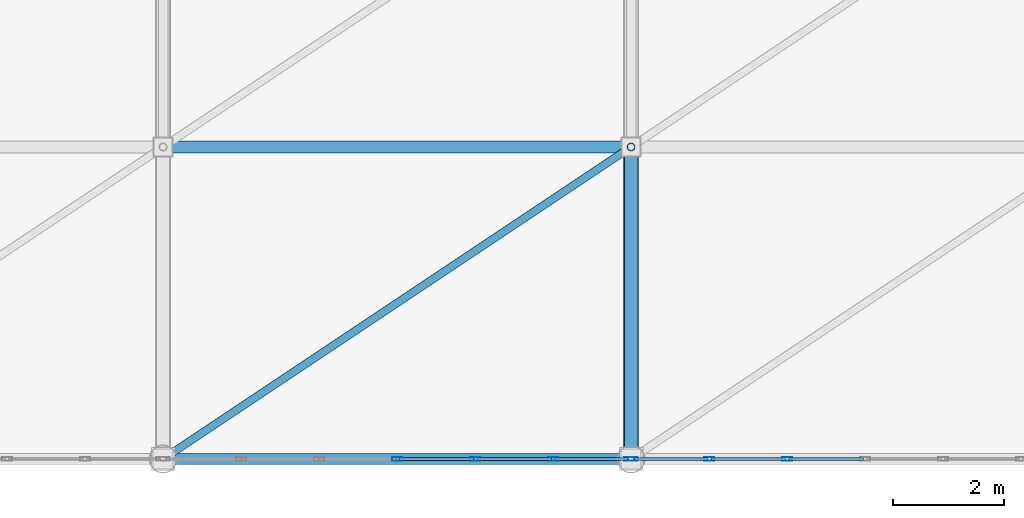
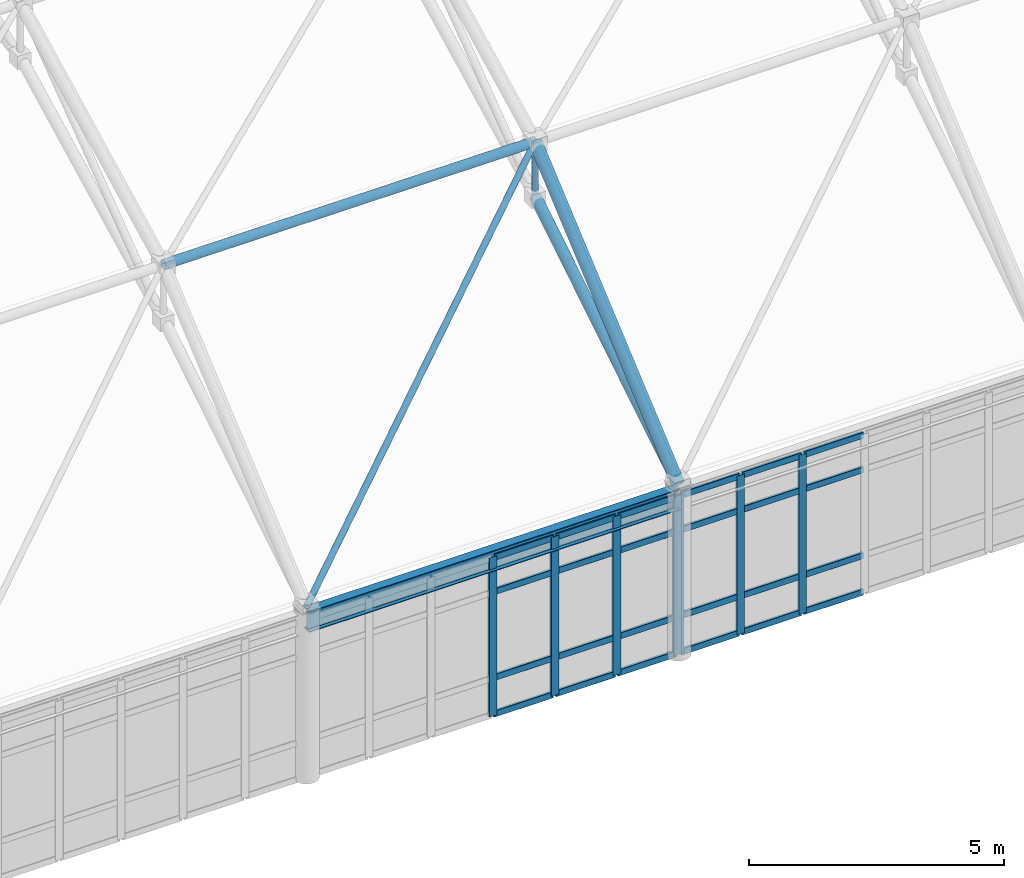
# One storey, part 70 of 184: 36 members, 1 beam, 2 elements without a shape of their own.
"""IFC4 building model written with IfcOpenShell, lengths in metres."""

from ifc_helpers import new_model, si_unit, direction, frame, origin, origin_2d, place, context, subcontext, project, spatial, hollow_rectangle, hollow_circle, i_section, extrude, material, layer, layer_set, material_profile, profile_set, type_object, element, aggregate, save


model = new_model("IFC4")

# Units and contexts
model_context = context("Model", 3, precision=1e-05, world=origin(), true_north=direction((0.0, 1.0)))
body_context = subcontext(model_context, "Body", "Model", "MODEL_VIEW")
ifc_project = project(units=[si_unit("LENGTHUNIT", "METRE"), si_unit("AREAUNIT", "SQUARE_METRE"), si_unit("VOLUMEUNIT", "CUBIC_METRE"), si_unit("PLANEANGLEUNIT", "RADIAN"), si_unit("MASSUNIT", "GRAM", prefix="KILO")], contexts=[model_context])

# Site, building, storey
site_placement = place(None, origin())
site = spatial("IfcSite", under=ifc_project, at=site_placement, CompositionType="ELEMENT")
building_placement = place(site_placement, origin())
building = spatial("IfcBuilding", under=site, at=building_placement, Name="Qalvenar Corner Mobility Hub", CompositionType="ELEMENT")
storey_placement = place(building_placement, frame((0.0, 0.0, 9.0)))
storey = spatial("IfcBuildingStorey", under=building, at=storey_placement, Name="L02", CompositionType="ELEMENT", Elevation=9.0)

# Beam
ifc_material_1 = material(Name="Steel S355", Category="steel")
ifc_material_profile_1 = material_profile(ifc_material_1, i_section(OverallWidth=0.199951171875, OverallDepth=0.5, WebThickness=0.01025390625, FlangeThickness=0.01611328125, FilletRadius=0.02099609375, at=origin_2d()), Name="IPE500")
ifc_profile_set_1 = profile_set([ifc_material_profile_1], Name="Steel S355")
beam_type = type_object("IfcBeamType", Name="BM-IPE500", PredefinedType="BEAM", material=ifc_profile_set_1)
beam_placement = place(storey_placement, frame((75.60009765625, 0.0, 3.75), z_axis=(1.0, 0.0, 0.0), x_axis=(0.0, 1.0, 0.0)))
element("IfcBeam", 1, at=beam_placement, inside=storey, type_object=beam_type, Name="Space Frame Ring Beam SFRB-4-0", PredefinedType="BEAM", context=body_context, shape_type="SweptSolid", body=[
    extrude(i_section(OverallWidth=0.199951171875, OverallDepth=0.5, WebThickness=0.01025390625, FlangeThickness=0.01611328125, FilletRadius=0.02099609375, at=origin_2d()), origin(), (0.0, 0.0, 1.0), 8.39990234375),
])

# Curtain wall, members
ifc_material_2 = material(Name="Anodised Aluminium and Low-E Glazing", Category="aluminium")
ifc_layer = layer(ifc_material_2, 0.179931640625)
ifc_layer_set = layer_set([ifc_layer], Name="Anodised Aluminium and Low-E Glazing")
curtain_wall_type = type_object("IfcCurtainWallType", Name="CW-CONC-84X42", PredefinedType="NOTDEFINED", material=ifc_layer_set)
curtain_wall_1_placement = place(storey_placement, origin())
curtain_wall_1 = element("IfcCurtainWall", 2, at=curtain_wall_1_placement, inside=storey, type_object=curtain_wall_type, Name="Glazed Curtain Wall CW-V1-L02-S3", PredefinedType="NOTDEFINED")
ifc_material_3 = material(Name="Anodised Aluminium 6063-T6", Category="aluminium")
ifc_material_profile_2 = material_profile(ifc_material_3, hollow_rectangle(XDim=0.06494140625, YDim=0.179931640625, WallThickness=0.00390625, InnerFilletRadius=0.00390625, OuterFilletRadius=0.008056640625, at=origin_2d()), Name="RHS180x65x4")
ifc_profile_set_2 = profile_set([ifc_material_profile_2], Name="Anodised Aluminium 6063-T6")
member_type_1 = type_object("IfcMemberType", Name="CW-MUL180", PredefinedType="MULLION", material=ifc_profile_set_2)
member_1_placement = place(storey_placement, frame((79.800048828125, 0.0, 0.0), z_axis=(0.0, 0.0, 1.0), x_axis=(0.0, 1.0, 0.0)))
member_1 = element("IfcMember", 3, at=member_1_placement, type_object=member_type_1, Name="CW-02 mullion 4", PredefinedType="MULLION", context=body_context, shape_type="SweptSolid", body=[
    extrude(hollow_rectangle(XDim=0.06494140625, YDim=0.179931640625, WallThickness=0.00390625, InnerFilletRadius=0.00390625, OuterFilletRadius=0.008056640625, at=origin_2d()), origin(), (0.0, 0.0, 1.0), 3.800048828125),
])
member_2_placement = place(storey_placement, frame((81.199951171875, 0.0, 0.0), z_axis=(0.0, 0.0, 1.0), x_axis=(0.0, 1.0, 0.0)))
member_2 = element("IfcMember", 4, at=member_2_placement, type_object=member_type_1, Name="CW-02 mullion 5", PredefinedType="MULLION", context=body_context, shape_type="SweptSolid", body=[
    extrude(hollow_rectangle(XDim=0.06494140625, YDim=0.179931640625, WallThickness=0.00390625, InnerFilletRadius=0.00390625, OuterFilletRadius=0.008056640625, at=origin_2d()), origin(), (0.0, 0.0, 1.0), 3.800048828125),
])
member_3_placement = place(storey_placement, frame((82.60009765625, 0.0, 0.0), z_axis=(0.0, 0.0, 1.0), x_axis=(0.0, 1.0, 0.0)))
member_3 = element("IfcMember", 5, at=member_3_placement, type_object=member_type_1, Name="CW-02 mullion 6", PredefinedType="MULLION", context=body_context, shape_type="SweptSolid", body=[
    extrude(hollow_rectangle(XDim=0.06494140625, YDim=0.179931640625, WallThickness=0.00390625, InnerFilletRadius=0.00390625, OuterFilletRadius=0.008056640625, at=origin_2d()), origin(), (0.0, 0.0, 1.0), 3.800048828125),
])
member_4_placement = place(storey_placement, frame((83.969970703125, 0.0, 0.0), z_axis=(0.0, 0.0, 1.0), x_axis=(0.0, 1.0, 0.0)))
member_4 = element("IfcMember", 6, at=member_4_placement, type_object=member_type_1, Name="CW-02 mullion 7", PredefinedType="MULLION", context=body_context, shape_type="SweptSolid", body=[
    extrude(hollow_rectangle(XDim=0.06494140625, YDim=0.179931640625, WallThickness=0.00390625, InnerFilletRadius=0.00390625, OuterFilletRadius=0.008056640625, at=origin_2d()), origin(), (0.0, 0.0, 1.0), 3.800048828125),
])

curtain_wall_2_placement = place(storey_placement, origin())
curtain_wall_2 = element("IfcCurtainWall", 7, at=curtain_wall_2_placement, inside=storey, type_object=curtain_wall_type, Name="Glazed Curtain Wall CW-V1-L02-S4", PredefinedType="NOTDEFINED")
member_5_placement = place(storey_placement, frame((84.030029296875, 0.0, 0.0), z_axis=(0.0, 0.0, 1.0), x_axis=(0.0, 1.0, 0.0)))
member_5 = element("IfcMember", 8, at=member_5_placement, type_object=member_type_1, Name="CW-02 mullion 1", PredefinedType="MULLION", context=body_context, shape_type="SweptSolid", body=[
    extrude(hollow_rectangle(XDim=0.06494140625, YDim=0.179931640625, WallThickness=0.00390625, InnerFilletRadius=0.00390625, OuterFilletRadius=0.008056640625, at=origin_2d()), origin(), (0.0, 0.0, 1.0), 3.800048828125),
])
member_6_placement = place(storey_placement, frame((85.39990234375, 0.0, 0.0), z_axis=(0.0, 0.0, 1.0), x_axis=(0.0, 1.0, 0.0)))
member_6 = element("IfcMember", 9, at=member_6_placement, type_object=member_type_1, Name="CW-02 mullion 2", PredefinedType="MULLION", context=body_context, shape_type="SweptSolid", body=[
    extrude(hollow_rectangle(XDim=0.06494140625, YDim=0.179931640625, WallThickness=0.00390625, InnerFilletRadius=0.00390625, OuterFilletRadius=0.008056640625, at=origin_2d()), origin(), (0.0, 0.0, 1.0), 3.800048828125),
])
member_7_placement = place(storey_placement, frame((86.800048828125, 0.0, 0.0), z_axis=(0.0, 0.0, 1.0), x_axis=(0.0, 1.0, 0.0)))
member_7 = element("IfcMember", 10, at=member_7_placement, type_object=member_type_1, Name="CW-02 mullion 3", PredefinedType="MULLION", context=body_context, shape_type="SweptSolid", body=[
    extrude(hollow_rectangle(XDim=0.06494140625, YDim=0.179931640625, WallThickness=0.00390625, InnerFilletRadius=0.00390625, OuterFilletRadius=0.008056640625, at=origin_2d()), origin(), (0.0, 0.0, 1.0), 3.800048828125),
])

# Member
ifc_material_profile_3 = material_profile(ifc_material_3, hollow_rectangle(XDim=0.06005859375, YDim=0.14990234375, WallThickness=0.00341796875, InnerFilletRadius=0.00341796875, OuterFilletRadius=0.007080078125, at=origin_2d()), Name="RHS150x60x3.5")
ifc_profile_set_3 = profile_set([ifc_material_profile_3], Name="Anodised Aluminium 6063-T6")
member_type_2 = type_object("IfcMemberType", Name="CW-TRN150", PredefinedType="USERDEFINED", material=ifc_profile_set_3)
member_8_placement = place(storey_placement, frame((79.830078125, 0.0, 0.027587890625), z_axis=(1.0, 0.0, 0.0), x_axis=(0.0, 1.0, 0.0)))
member_8 = element("IfcMember", 11, at=member_8_placement, type_object=member_type_2, Name="CW-02 transom 4.1", ObjectType="TRANSOM", PredefinedType="USERDEFINED", context=body_context, shape_type="SweptSolid", body=[
    extrude(hollow_rectangle(XDim=0.06005859375, YDim=0.14990234375, WallThickness=0.00341796875, InnerFilletRadius=0.00341796875, OuterFilletRadius=0.007080078125, at=origin_2d()), origin(), (0.0, 0.0, 1.0), 1.33984375),
])

member_9_placement = place(storey_placement, frame((79.830078125, 0.0, 0.89990234375), z_axis=(1.0, 0.0, 0.0), x_axis=(0.0, 1.0, 0.0)))
member_9 = element("IfcMember", 12, at=member_9_placement, type_object=member_type_2, Name="CW-02 transom 4.2", ObjectType="TRANSOM", PredefinedType="USERDEFINED", context=body_context, shape_type="SweptSolid", body=[
    extrude(hollow_rectangle(XDim=0.06005859375, YDim=0.14990234375, WallThickness=0.00341796875, InnerFilletRadius=0.00341796875, OuterFilletRadius=0.007080078125, at=origin_2d()), origin(), (0.0, 0.0, 1.0), 1.33984375),
])

member_10_placement = place(storey_placement, frame((79.830078125, 0.0, 2.949951171875), z_axis=(1.0, 0.0, 0.0), x_axis=(0.0, 1.0, 0.0)))
member_10 = element("IfcMember", 13, at=member_10_placement, type_object=member_type_2, Name="CW-02 transom 4.3", ObjectType="TRANSOM", PredefinedType="USERDEFINED", context=body_context, shape_type="SweptSolid", body=[
    extrude(hollow_rectangle(XDim=0.06005859375, YDim=0.14990234375, WallThickness=0.00341796875, InnerFilletRadius=0.00341796875, OuterFilletRadius=0.007080078125, at=origin_2d()), origin(), (0.0, 0.0, 1.0), 1.33984375),
])

member_11_placement = place(storey_placement, frame((79.830078125, 0.0, 3.7724609375), z_axis=(1.0, 0.0, 0.0), x_axis=(0.0, 1.0, 0.0)))
member_11 = element("IfcMember", 14, at=member_11_placement, type_object=member_type_2, Name="CW-02 transom 4.4", ObjectType="TRANSOM", PredefinedType="USERDEFINED", context=body_context, shape_type="SweptSolid", body=[
    extrude(hollow_rectangle(XDim=0.06005859375, YDim=0.14990234375, WallThickness=0.00341796875, InnerFilletRadius=0.00341796875, OuterFilletRadius=0.007080078125, at=origin_2d()), origin(), (0.0, 0.0, 1.0), 1.33984375),
])

member_12_placement = place(storey_placement, frame((81.22998046875, 0.0, 0.027587890625), z_axis=(1.0, 0.0, 0.0), x_axis=(0.0, 1.0, 0.0)))
member_12 = element("IfcMember", 15, at=member_12_placement, type_object=member_type_2, Name="CW-02 transom 5.1", ObjectType="TRANSOM", PredefinedType="USERDEFINED", context=body_context, shape_type="SweptSolid", body=[
    extrude(hollow_rectangle(XDim=0.06005859375, YDim=0.14990234375, WallThickness=0.00341796875, InnerFilletRadius=0.00341796875, OuterFilletRadius=0.007080078125, at=origin_2d()), origin(), (0.0, 0.0, 1.0), 1.340087890625),
])

member_13_placement = place(storey_placement, frame((81.22998046875, 0.0, 0.89990234375), z_axis=(1.0, 0.0, 0.0), x_axis=(0.0, 1.0, 0.0)))
member_13 = element("IfcMember", 16, at=member_13_placement, type_object=member_type_2, Name="CW-02 transom 5.2", ObjectType="TRANSOM", PredefinedType="USERDEFINED", context=body_context, shape_type="SweptSolid", body=[
    extrude(hollow_rectangle(XDim=0.06005859375, YDim=0.14990234375, WallThickness=0.00341796875, InnerFilletRadius=0.00341796875, OuterFilletRadius=0.007080078125, at=origin_2d()), origin(), (0.0, 0.0, 1.0), 1.340087890625),
])

member_14_placement = place(storey_placement, frame((81.22998046875, 0.0, 2.949951171875), z_axis=(1.0, 0.0, 0.0), x_axis=(0.0, 1.0, 0.0)))
member_14 = element("IfcMember", 17, at=member_14_placement, type_object=member_type_2, Name="CW-02 transom 5.3", ObjectType="TRANSOM", PredefinedType="USERDEFINED", context=body_context, shape_type="SweptSolid", body=[
    extrude(hollow_rectangle(XDim=0.06005859375, YDim=0.14990234375, WallThickness=0.00341796875, InnerFilletRadius=0.00341796875, OuterFilletRadius=0.007080078125, at=origin_2d()), origin(), (0.0, 0.0, 1.0), 1.340087890625),
])

member_15_placement = place(storey_placement, frame((81.22998046875, 0.0, 3.7724609375), z_axis=(1.0, 0.0, 0.0), x_axis=(0.0, 1.0, 0.0)))
member_15 = element("IfcMember", 18, at=member_15_placement, type_object=member_type_2, Name="CW-02 transom 5.4", ObjectType="TRANSOM", PredefinedType="USERDEFINED", context=body_context, shape_type="SweptSolid", body=[
    extrude(hollow_rectangle(XDim=0.06005859375, YDim=0.14990234375, WallThickness=0.00341796875, InnerFilletRadius=0.00341796875, OuterFilletRadius=0.007080078125, at=origin_2d()), origin(), (0.0, 0.0, 1.0), 1.340087890625),
])

member_16_placement = place(storey_placement, frame((82.6298828125, 0.0, 0.027587890625), z_axis=(1.0, 0.0, 0.0), x_axis=(0.0, 1.0, 0.0)))
member_16 = element("IfcMember", 19, at=member_16_placement, type_object=member_type_2, Name="CW-02 transom 6.1", ObjectType="TRANSOM", PredefinedType="USERDEFINED", context=body_context, shape_type="SweptSolid", body=[
    extrude(hollow_rectangle(XDim=0.06005859375, YDim=0.14990234375, WallThickness=0.00341796875, InnerFilletRadius=0.00341796875, OuterFilletRadius=0.007080078125, at=origin_2d()), origin(), (0.0, 0.0, 1.0), 1.31005859375),
])

member_17_placement = place(storey_placement, frame((82.6298828125, 0.0, 0.89990234375), z_axis=(1.0, 0.0, 0.0), x_axis=(0.0, 1.0, 0.0)))
member_17 = element("IfcMember", 20, at=member_17_placement, type_object=member_type_2, Name="CW-02 transom 6.2", ObjectType="TRANSOM", PredefinedType="USERDEFINED", context=body_context, shape_type="SweptSolid", body=[
    extrude(hollow_rectangle(XDim=0.06005859375, YDim=0.14990234375, WallThickness=0.00341796875, InnerFilletRadius=0.00341796875, OuterFilletRadius=0.007080078125, at=origin_2d()), origin(), (0.0, 0.0, 1.0), 1.31005859375),
])

member_18_placement = place(storey_placement, frame((82.6298828125, 0.0, 2.949951171875), z_axis=(1.0, 0.0, 0.0), x_axis=(0.0, 1.0, 0.0)))
member_18 = element("IfcMember", 21, at=member_18_placement, type_object=member_type_2, Name="CW-02 transom 6.3", ObjectType="TRANSOM", PredefinedType="USERDEFINED", context=body_context, shape_type="SweptSolid", body=[
    extrude(hollow_rectangle(XDim=0.06005859375, YDim=0.14990234375, WallThickness=0.00341796875, InnerFilletRadius=0.00341796875, OuterFilletRadius=0.007080078125, at=origin_2d()), origin(), (0.0, 0.0, 1.0), 1.31005859375),
])

member_19_placement = place(storey_placement, frame((82.6298828125, 0.0, 3.7724609375), z_axis=(1.0, 0.0, 0.0), x_axis=(0.0, 1.0, 0.0)))
member_19 = element("IfcMember", 22, at=member_19_placement, type_object=member_type_2, Name="CW-02 transom 6.4", ObjectType="TRANSOM", PredefinedType="USERDEFINED", context=body_context, shape_type="SweptSolid", body=[
    extrude(hollow_rectangle(XDim=0.06005859375, YDim=0.14990234375, WallThickness=0.00341796875, InnerFilletRadius=0.00341796875, OuterFilletRadius=0.007080078125, at=origin_2d()), origin(), (0.0, 0.0, 1.0), 1.31005859375),
])

aggregate(curtain_wall_1, [member_1, member_2, member_3, member_4, member_8, member_9, member_10, member_11, member_12, member_13, member_14, member_15, member_16, member_17, member_18, member_19])

member_20_placement = place(storey_placement, frame((84.06005859375, 0.0, 0.027587890625), z_axis=(1.0, 0.0, 0.0), x_axis=(0.0, 1.0, 0.0)))
member_20 = element("IfcMember", 23, at=member_20_placement, type_object=member_type_2, Name="CW-02 transom 1.1", ObjectType="TRANSOM", PredefinedType="USERDEFINED", context=body_context, shape_type="SweptSolid", body=[
    extrude(hollow_rectangle(XDim=0.06005859375, YDim=0.14990234375, WallThickness=0.00341796875, InnerFilletRadius=0.00341796875, OuterFilletRadius=0.007080078125, at=origin_2d()), origin(), (0.0, 0.0, 1.0), 1.31005859375),
])

member_21_placement = place(storey_placement, frame((84.06005859375, 0.0, 0.89990234375), z_axis=(1.0, 0.0, 0.0), x_axis=(0.0, 1.0, 0.0)))
member_21 = element("IfcMember", 24, at=member_21_placement, type_object=member_type_2, Name="CW-02 transom 1.2", ObjectType="TRANSOM", PredefinedType="USERDEFINED", context=body_context, shape_type="SweptSolid", body=[
    extrude(hollow_rectangle(XDim=0.06005859375, YDim=0.14990234375, WallThickness=0.00341796875, InnerFilletRadius=0.00341796875, OuterFilletRadius=0.007080078125, at=origin_2d()), origin(), (0.0, 0.0, 1.0), 1.31005859375),
])

member_22_placement = place(storey_placement, frame((84.06005859375, 0.0, 2.949951171875), z_axis=(1.0, 0.0, 0.0), x_axis=(0.0, 1.0, 0.0)))
member_22 = element("IfcMember", 25, at=member_22_placement, type_object=member_type_2, Name="CW-02 transom 1.3", ObjectType="TRANSOM", PredefinedType="USERDEFINED", context=body_context, shape_type="SweptSolid", body=[
    extrude(hollow_rectangle(XDim=0.06005859375, YDim=0.14990234375, WallThickness=0.00341796875, InnerFilletRadius=0.00341796875, OuterFilletRadius=0.007080078125, at=origin_2d()), origin(), (0.0, 0.0, 1.0), 1.31005859375),
])

member_23_placement = place(storey_placement, frame((84.06005859375, 0.0, 3.7724609375), z_axis=(1.0, 0.0, 0.0), x_axis=(0.0, 1.0, 0.0)))
member_23 = element("IfcMember", 26, at=member_23_placement, type_object=member_type_2, Name="CW-02 transom 1.4", ObjectType="TRANSOM", PredefinedType="USERDEFINED", context=body_context, shape_type="SweptSolid", body=[
    extrude(hollow_rectangle(XDim=0.06005859375, YDim=0.14990234375, WallThickness=0.00341796875, InnerFilletRadius=0.00341796875, OuterFilletRadius=0.007080078125, at=origin_2d()), origin(), (0.0, 0.0, 1.0), 1.31005859375),
])

member_24_placement = place(storey_placement, frame((85.429931640625, 0.0, 0.027587890625), z_axis=(1.0, 0.0, 0.0), x_axis=(0.0, 1.0, 0.0)))
member_24 = element("IfcMember", 27, at=member_24_placement, type_object=member_type_2, Name="CW-02 transom 2.1", ObjectType="TRANSOM", PredefinedType="USERDEFINED", context=body_context, shape_type="SweptSolid", body=[
    extrude(hollow_rectangle(XDim=0.06005859375, YDim=0.14990234375, WallThickness=0.00341796875, InnerFilletRadius=0.00341796875, OuterFilletRadius=0.007080078125, at=origin_2d()), origin(), (0.0, 0.0, 1.0), 1.340087890625),
])

member_25_placement = place(storey_placement, frame((85.429931640625, 0.0, 0.89990234375), z_axis=(1.0, 0.0, 0.0), x_axis=(0.0, 1.0, 0.0)))
member_25 = element("IfcMember", 28, at=member_25_placement, type_object=member_type_2, Name="CW-02 transom 2.2", ObjectType="TRANSOM", PredefinedType="USERDEFINED", context=body_context, shape_type="SweptSolid", body=[
    extrude(hollow_rectangle(XDim=0.06005859375, YDim=0.14990234375, WallThickness=0.00341796875, InnerFilletRadius=0.00341796875, OuterFilletRadius=0.007080078125, at=origin_2d()), origin(), (0.0, 0.0, 1.0), 1.340087890625),
])

member_26_placement = place(storey_placement, frame((85.429931640625, 0.0, 2.949951171875), z_axis=(1.0, 0.0, 0.0), x_axis=(0.0, 1.0, 0.0)))
member_26 = element("IfcMember", 29, at=member_26_placement, type_object=member_type_2, Name="CW-02 transom 2.3", ObjectType="TRANSOM", PredefinedType="USERDEFINED", context=body_context, shape_type="SweptSolid", body=[
    extrude(hollow_rectangle(XDim=0.06005859375, YDim=0.14990234375, WallThickness=0.00341796875, InnerFilletRadius=0.00341796875, OuterFilletRadius=0.007080078125, at=origin_2d()), origin(), (0.0, 0.0, 1.0), 1.340087890625),
])

member_27_placement = place(storey_placement, frame((85.429931640625, 0.0, 3.7724609375), z_axis=(1.0, 0.0, 0.0), x_axis=(0.0, 1.0, 0.0)))
member_27 = element("IfcMember", 30, at=member_27_placement, type_object=member_type_2, Name="CW-02 transom 2.4", ObjectType="TRANSOM", PredefinedType="USERDEFINED", context=body_context, shape_type="SweptSolid", body=[
    extrude(hollow_rectangle(XDim=0.06005859375, YDim=0.14990234375, WallThickness=0.00341796875, InnerFilletRadius=0.00341796875, OuterFilletRadius=0.007080078125, at=origin_2d()), origin(), (0.0, 0.0, 1.0), 1.340087890625),
])

member_28_placement = place(storey_placement, frame((86.830078125, 0.0, 0.027587890625), z_axis=(1.0, 0.0, 0.0), x_axis=(0.0, 1.0, 0.0)))
member_28 = element("IfcMember", 31, at=member_28_placement, type_object=member_type_2, Name="CW-02 transom 3.1", ObjectType="TRANSOM", PredefinedType="USERDEFINED", context=body_context, shape_type="SweptSolid", body=[
    extrude(hollow_rectangle(XDim=0.06005859375, YDim=0.14990234375, WallThickness=0.00341796875, InnerFilletRadius=0.00341796875, OuterFilletRadius=0.007080078125, at=origin_2d()), origin(), (0.0, 0.0, 1.0), 1.33984375),
])

member_29_placement = place(storey_placement, frame((86.830078125, 0.0, 0.89990234375), z_axis=(1.0, 0.0, 0.0), x_axis=(0.0, 1.0, 0.0)))
member_29 = element("IfcMember", 32, at=member_29_placement, type_object=member_type_2, Name="CW-02 transom 3.2", ObjectType="TRANSOM", PredefinedType="USERDEFINED", context=body_context, shape_type="SweptSolid", body=[
    extrude(hollow_rectangle(XDim=0.06005859375, YDim=0.14990234375, WallThickness=0.00341796875, InnerFilletRadius=0.00341796875, OuterFilletRadius=0.007080078125, at=origin_2d()), origin(), (0.0, 0.0, 1.0), 1.33984375),
])

member_30_placement = place(storey_placement, frame((86.830078125, 0.0, 2.949951171875), z_axis=(1.0, 0.0, 0.0), x_axis=(0.0, 1.0, 0.0)))
member_30 = element("IfcMember", 33, at=member_30_placement, type_object=member_type_2, Name="CW-02 transom 3.3", ObjectType="TRANSOM", PredefinedType="USERDEFINED", context=body_context, shape_type="SweptSolid", body=[
    extrude(hollow_rectangle(XDim=0.06005859375, YDim=0.14990234375, WallThickness=0.00341796875, InnerFilletRadius=0.00341796875, OuterFilletRadius=0.007080078125, at=origin_2d()), origin(), (0.0, 0.0, 1.0), 1.33984375),
])

member_31_placement = place(storey_placement, frame((86.830078125, 0.0, 3.7724609375), z_axis=(1.0, 0.0, 0.0), x_axis=(0.0, 1.0, 0.0)))
member_31 = element("IfcMember", 34, at=member_31_placement, type_object=member_type_2, Name="CW-02 transom 3.4", ObjectType="TRANSOM", PredefinedType="USERDEFINED", context=body_context, shape_type="SweptSolid", body=[
    extrude(hollow_rectangle(XDim=0.06005859375, YDim=0.14990234375, WallThickness=0.00341796875, InnerFilletRadius=0.00341796875, OuterFilletRadius=0.007080078125, at=origin_2d()), origin(), (0.0, 0.0, 1.0), 1.33984375),
])

aggregate(curtain_wall_2, [member_5, member_6, member_7, member_20, member_21, member_22, member_23, member_24, member_25, member_26, member_27, member_28, member_29, member_30, member_31])

# Members
ifc_material_4 = material(Name="Steel S355", Category="steel")
ifc_material_profile_4 = material_profile(ifc_material_4, hollow_circle(Radius=0.109619140625, WallThickness=0.008056640625, at=origin_2d()), Name="CHS219.1x8")
ifc_profile_set_4 = profile_set([ifc_material_profile_4], Name="Steel S355")
member_type_3 = type_object("IfcMemberType", Name="SF-CHD219", PredefinedType="CHORD", material=ifc_profile_set_4)
member_32_placement = place(storey_placement, frame((75.60009765625, 5.60009765625, 8.837890625), z_axis=(1.0, 0.0, 0.0), x_axis=(0.0, 1.0, 0.0)))
element("IfcMember", 35, at=member_32_placement, inside=storey, type_object=member_type_3, Name="Space Frame Longitudinal Chord SFL-0202", PredefinedType="CHORD", context=body_context, shape_type="SweptSolid", body=[
    extrude(hollow_circle(Radius=0.109619140625, WallThickness=0.008056640625, at=origin_2d()), origin(), (0.0, 0.0, 1.0), 8.39990234375),
])
ifc_material_profile_5 = material_profile(ifc_material_4, hollow_circle(Radius=0.122314453125, WallThickness=0.0087890625, at=origin_2d()), Name="CHS244.5x8.8")
ifc_profile_set_5 = profile_set([ifc_material_profile_5], Name="Steel S355")
member_type_4 = type_object("IfcMemberType", Name="SF-CHD244", PredefinedType="CHORD", material=ifc_profile_set_5)
member_33_placement = place(storey_placement, frame((84.0, 0.0, 4.06005859375), z_axis=(0.0, 0.849513681623, 0.527566587964), x_axis=(-1.0, 0.0, 0.0)))
element("IfcMember", 36, at=member_33_placement, inside=storey, type_object=member_type_4, Name="Space Frame Bottom Chord SFBC-0086", PredefinedType="CHORD", context=body_context, shape_type="SweptSolid", body=[
    extrude(hollow_circle(Radius=0.122314453125, WallThickness=0.0087890625, at=origin_2d()), origin(), (0.0, 0.0, 1.0), 6.592041015625),
])
ifc_material_profile_6 = material_profile(ifc_material_4, hollow_circle(Radius=0.136474609375, WallThickness=0.010009765625, at=origin_2d()), Name="CHS273x10")
ifc_profile_set_6 = profile_set([ifc_material_profile_6], Name="Steel S355")
member_type_5 = type_object("IfcMemberType", Name="SF-CHD273", PredefinedType="CHORD", material=ifc_profile_set_6)
member_34_placement = place(storey_placement, frame((84.0, 0.0, 4.06005859375), z_axis=(0.0, 0.760748216799, 0.64904710972), x_axis=(-1.0, 0.0, 0.0)))
element("IfcMember", 37, at=member_34_placement, inside=storey, type_object=member_type_5, Name="Space Frame Top Chord SFTC-0085", PredefinedType="CHORD", context=body_context, shape_type="SweptSolid", body=[
    extrude(hollow_circle(Radius=0.136474609375, WallThickness=0.010009765625, at=origin_2d()), origin(), (0.0, 0.0, 1.0), 7.361328125),
])
ifc_material_profile_7 = material_profile(ifc_material_4, hollow_circle(Radius=0.06982421875, WallThickness=0.0048828125, at=origin_2d()), Name="CHS139.7x5")
ifc_profile_set_7 = profile_set([ifc_material_profile_7], Name="Steel S355")
member_type_6 = type_object("IfcMemberType", Name="SF-STR139", PredefinedType="STRUT", material=ifc_profile_set_7)
member_35_placement = place(storey_placement, frame((84.0, 5.60009765625, 7.537841796875), z_axis=(0.0, 0.0, 1.0), x_axis=(1.0, 0.0, 0.0)))
element("IfcMember", 38, at=member_35_placement, inside=storey, type_object=member_type_6, Name="Space Frame King Strut SFV-0101", PredefinedType="STRUT", context=body_context, shape_type="SweptSolid", body=[
    extrude(hollow_circle(Radius=0.06982421875, WallThickness=0.0048828125, at=origin_2d()), origin(), (0.0, 0.0, 1.0), 1.300048828125),
])
member_36_placement = place(storey_placement, frame((75.60009765625, 0.0, 4.06005859375), z_axis=(0.752071189663, 0.50139536559, 0.427775189842), x_axis=(-0.554711357594, 0.832042853317, 0.0)))
element("IfcMember", 39, at=member_36_placement, inside=storey, type_object=member_type_6, Name="Space Frame Plan Strut SFP-0207", PredefinedType="STRUT", context=body_context, shape_type="SweptSolid", body=[
    extrude(hollow_circle(Radius=0.06982421875, WallThickness=0.0048828125, at=origin_2d()), origin(), (0.0, 0.0, 1.0), 11.1689453125),
])

save(model, "model.ifc")
